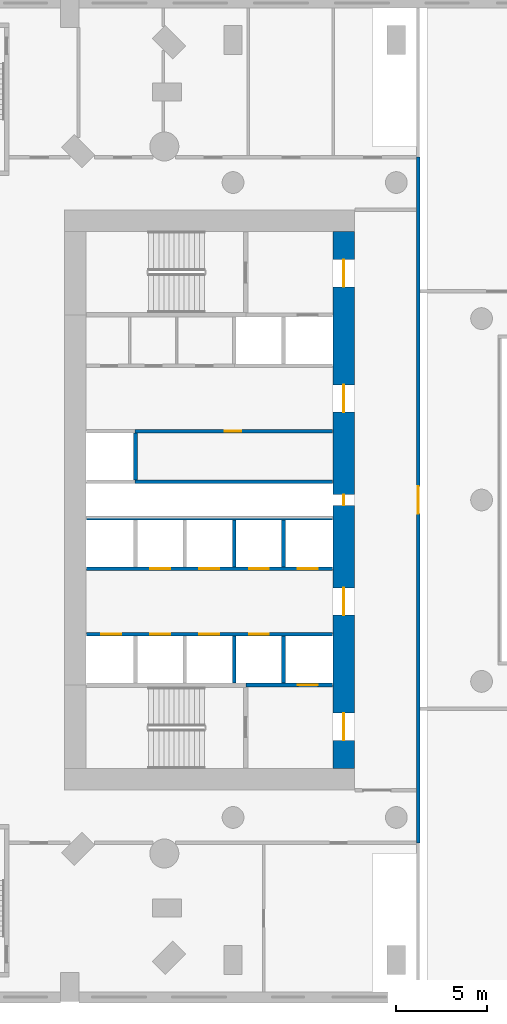
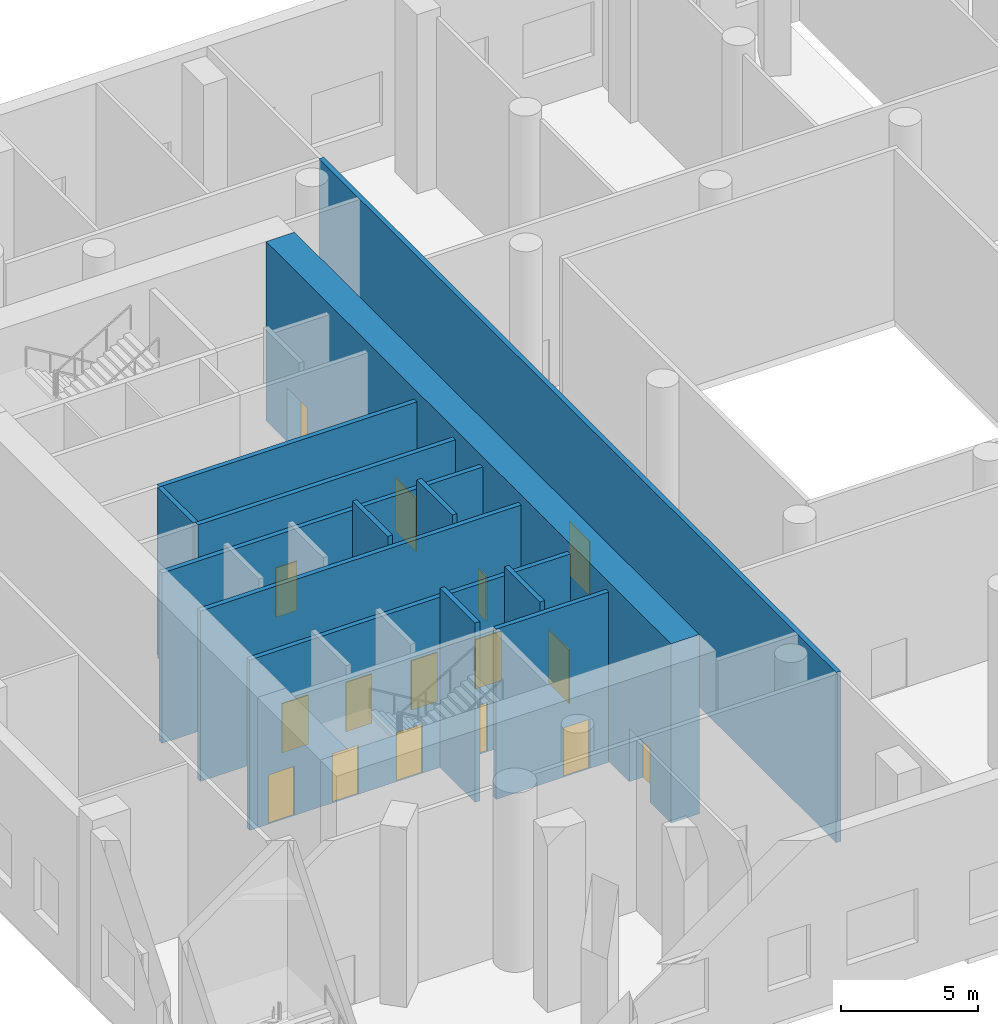
# One storey, part 4 of 18: 16 doors, 13 walls, 16 openings.
"""IFC4 building model written with IfcOpenShell, lengths in metres."""

from ifc_helpers import new_model, si_unit, direction, frame, frame_2d, origin, place, context, subcontext, project, spatial, rectangle, extrude, material, layer, layer_set, type_object, element, fill, save


model = new_model("IFC4")

# Units and contexts
model_context = context("Model", 3, precision=1e-05, world=origin(), true_north=direction((0.0, 1.0)))
body_context = subcontext(model_context, "Body", "Model", "MODEL_VIEW")
ifc_project = project(units=[si_unit("LENGTHUNIT", "METRE"), si_unit("AREAUNIT", "SQUARE_METRE"), si_unit("VOLUMEUNIT", "CUBIC_METRE"), si_unit("PLANEANGLEUNIT", "RADIAN"), si_unit("MASSUNIT", "GRAM", prefix="KILO")], contexts=[model_context])

# Site, building, storey
site_placement = place(None, origin())
site = spatial("IfcSite", under=ifc_project, at=site_placement, CompositionType="ELEMENT")
building_placement = place(site_placement, origin())
building = spatial("IfcBuilding", under=site, at=building_placement, Name="Cypress Arch Tower", CompositionType="ELEMENT")
storey_placement = place(building_placement, frame((0.0, 0.0, 36.0)))
storey = spatial("IfcBuildingStorey", under=building, at=storey_placement, Name="L04", CompositionType="ELEMENT", Elevation=36.0)

# Wall, openings, doors
ifc_material_1 = material(Name="Concrete C80/95", Category="concrete")
ifc_layer_1 = layer(ifc_material_1, 1.199951171875)
ifc_layer_set_1 = layer_set([ifc_layer_1], Name="Core wall CW1200 C80/95")
wall_type_1 = type_object("IfcWallType", Name="Core wall CW1200 C80/95", PredefinedType="SHEAR", material=ifc_layer_set_1)
wall_1_placement = place(storey_placement, frame((-14.60009765625, -14.800048828125, 0.0), z_axis=(0.0, 0.0, 1.0), x_axis=(0.0, 1.0, 0.0)))
wall_1 = element("IfcWall", 1, at=wall_1_placement, inside=storey, type_object=wall_type_1, Name="Core wall", PredefinedType="SHEAR", context=body_context, shape_type="SweptSolid", body=[
    extrude(rectangle(XDim=29.60009765625, YDim=1.199951171875, at=frame_2d((14.800048828125, 0.0))), origin(), (0.0, 0.0, 1.0), 8.0),
])
opening_1_placement = place(wall_1_placement, frame((1.550048828125, 0.0, 0.0)))
opening_1 = element("IfcOpeningElement", 2, at=opening_1_placement, cuts=wall_1, Name="Opening D07", PredefinedType="OPENING", context=body_context, shape_type="SweptSolid", body=[
    extrude(rectangle(XDim=1.5, YDim=2.39990234375, at=frame_2d((0.75, 1.199951171875))), frame((0.0, 0.60986328125, 0.0), z_axis=(0.0, -1.0, 0.0), x_axis=(1.0, 0.0, 0.0)), (0.0, 0.0, 1.0), 1.219970703125),
])
opening_2_placement = place(wall_1_placement, frame((26.550048828125, 0.0, 0.0)))
opening_2 = element("IfcOpeningElement", 3, at=opening_2_placement, cuts=wall_1, Name="Opening D07", PredefinedType="OPENING", context=body_context, shape_type="SweptSolid", body=[
    extrude(rectangle(XDim=1.5, YDim=2.39990234375, at=frame_2d((0.75, 1.199951171875))), frame((0.0, 0.60986328125, 0.0), z_axis=(0.0, -1.0, 0.0), x_axis=(1.0, 0.0, 0.0)), (0.0, 0.0, 1.0), 1.219970703125),
])
opening_3_placement = place(wall_1_placement, frame((8.449951171875, 0.0, 0.0)))
opening_3 = element("IfcOpeningElement", 4, at=opening_3_placement, cuts=wall_1, Name="Opening D07", PredefinedType="OPENING", context=body_context, shape_type="SweptSolid", body=[
    extrude(rectangle(XDim=1.5, YDim=2.39990234375, at=frame_2d((0.75, 1.199951171875))), frame((0.0, 0.60986328125, 0.0), z_axis=(0.0, -1.0, 0.0), x_axis=(1.0, 0.0, 0.0)), (0.0, 0.0, 1.0), 1.219970703125),
])
opening_4_placement = place(wall_1_placement, frame((19.64990234375, 0.0, 0.0)))
opening_4 = element("IfcOpeningElement", 5, at=opening_4_placement, cuts=wall_1, Name="Opening D07", PredefinedType="OPENING", context=body_context, shape_type="SweptSolid", body=[
    extrude(rectangle(XDim=1.5, YDim=2.39990234375, at=frame_2d((0.75, 1.199951171875))), frame((0.0, 0.60986328125, 0.0), z_axis=(0.0, -1.0, 0.0), x_axis=(1.0, 0.0, 0.0)), (0.0, 0.0, 1.0), 1.219970703125),
])
opening_5_placement = place(wall_1_placement, frame((14.5, 0.0, 0.0)))
opening_5 = element("IfcOpeningElement", 6, at=opening_5_placement, cuts=wall_1, Name="Opening D08", PredefinedType="OPENING", context=body_context, shape_type="SweptSolid", body=[
    extrude(rectangle(XDim=0.60009765625, YDim=2.0, at=frame_2d((0.300048828125, 1.0))), frame((0.0, 0.60986328125, 0.0), z_axis=(0.0, -1.0, 0.0), x_axis=(1.0, 0.0, 0.0)), (0.0, 0.0, 1.0), 1.219970703125),
])
ifc_material_2 = material(Name="Steel framed glazed door, fire resisting", Category="steel")
door_type_1 = type_object("IfcDoorType", Name="Lobby door D07 1500x2400", OperationType="DOUBLE_DOOR_SINGLE_SWING", PredefinedType="DOOR", material=ifc_material_2)
door_1_placement = place(opening_1_placement, origin())
door_1 = element("IfcDoor", 7, at=door_1_placement, inside=storey, type_object=door_type_1, Name="Lobby door", OperationType="DOUBLE_DOOR_SINGLE_SWING", OverallHeight=2.39990234375, OverallWidth=1.5, PredefinedType="DOOR", context=body_context, shape_type="SweptSolid", body=[
    extrude(rectangle(XDim=1.5, YDim=2.39990234375, at=frame_2d((0.75, 1.199951171875))), frame((0.0, 0.02490234375, 0.0), z_axis=(0.0, -1.0, 0.0), x_axis=(1.0, 0.0, 0.0)), (0.0, 0.0, 1.0), 0.050048828125),
])
fill(opening_1, door_1)
door_2_placement = place(opening_2_placement, origin())
door_2 = element("IfcDoor", 8, at=door_2_placement, inside=storey, type_object=door_type_1, Name="Lobby door", OperationType="DOUBLE_DOOR_SINGLE_SWING", OverallHeight=2.39990234375, OverallWidth=1.5, PredefinedType="DOOR", context=body_context, shape_type="SweptSolid", body=[
    extrude(rectangle(XDim=1.5, YDim=2.39990234375, at=frame_2d((0.75, 1.199951171875))), frame((0.0, 0.02490234375, 0.0), z_axis=(0.0, -1.0, 0.0), x_axis=(1.0, 0.0, 0.0)), (0.0, 0.0, 1.0), 0.050048828125),
])
fill(opening_2, door_2)
door_3_placement = place(opening_3_placement, origin())
door_3 = element("IfcDoor", 9, at=door_3_placement, inside=storey, type_object=door_type_1, Name="Lobby door", OperationType="DOUBLE_DOOR_SINGLE_SWING", OverallHeight=2.39990234375, OverallWidth=1.5, PredefinedType="DOOR", context=body_context, shape_type="SweptSolid", body=[
    extrude(rectangle(XDim=1.5, YDim=2.39990234375, at=frame_2d((0.75, 1.199951171875))), frame((0.0, 0.02490234375, 0.0), z_axis=(0.0, -1.0, 0.0), x_axis=(1.0, 0.0, 0.0)), (0.0, 0.0, 1.0), 0.050048828125),
])
fill(opening_3, door_3)
door_4_placement = place(opening_4_placement, origin())
door_4 = element("IfcDoor", 10, at=door_4_placement, inside=storey, type_object=door_type_1, Name="Lobby door", OperationType="DOUBLE_DOOR_SINGLE_SWING", OverallHeight=2.39990234375, OverallWidth=1.5, PredefinedType="DOOR", context=body_context, shape_type="SweptSolid", body=[
    extrude(rectangle(XDim=1.5, YDim=2.39990234375, at=frame_2d((0.75, 1.199951171875))), frame((0.0, 0.02490234375, 0.0), z_axis=(0.0, -1.0, 0.0), x_axis=(1.0, 0.0, 0.0)), (0.0, 0.0, 1.0), 0.050048828125),
])
fill(opening_4, door_4)
ifc_material_3 = material(Name="Steel access door, fire resisting", Category="steel")
door_type_2 = type_object("IfcDoorType", Name="Riser access door D08 600x2000", OperationType="SINGLE_SWING_LEFT", PredefinedType="DOOR", material=ifc_material_3)
door_5_placement = place(opening_5_placement, origin())
door_5 = element("IfcDoor", 11, at=door_5_placement, inside=storey, type_object=door_type_2, Name="Riser access door", OperationType="SINGLE_SWING_RIGHT", OverallHeight=2.0, OverallWidth=0.60009765625, PredefinedType="DOOR", context=body_context, shape_type="SweptSolid", body=[
    extrude(rectangle(XDim=0.60009765625, YDim=2.0, at=frame_2d((0.300048828125, 1.0))), frame((0.0, 0.02490234375, 0.0), z_axis=(0.0, -1.0, 0.0), x_axis=(1.0, 0.0, 0.0)), (0.0, 0.0, 1.0), 0.050048828125),
])
fill(opening_5, door_5)

# Wall, opening, door
ifc_material_4 = material(Name="Concrete blockwork, plastered, rated", Category="masonry")
ifc_layer_2 = layer(ifc_material_4, 0.199951171875)
ifc_layer_set_2 = layer_set([ifc_layer_2], Name="Corridor wall FW200")
wall_type_2 = type_object("IfcWallType", Name="Corridor wall FW200", PredefinedType="PARTITIONING", material=ifc_layer_set_2)
wall_2_placement = place(storey_placement, frame((-26.10009765625, 3.800048828125, 0.0), z_axis=(0.0, 0.0, 1.0), x_axis=(1.0, 0.0, 0.0)))
wall_2 = element("IfcWall", 12, at=wall_2_placement, inside=storey, type_object=wall_type_2, Name="Corridor wall", PredefinedType="PARTITIONING", context=body_context, shape_type="SweptSolid", body=[
    extrude(rectangle(XDim=10.8701171875, YDim=0.199951171875, at=frame_2d((5.43505859375, 0.0))), origin(), (0.0, 0.0, 1.0), 7.597900390625),
])
opening_6_placement = place(wall_2_placement, frame((4.949951171875, 0.0, 0.0)))
opening_6 = element("IfcOpeningElement", 13, at=opening_6_placement, cuts=wall_2, Name="Opening D05", PredefinedType="OPENING", context=body_context, shape_type="SweptSolid", body=[
    extrude(rectangle(XDim=0.89990234375, YDim=2.199951171875, at=frame_2d((0.449951171875, 1.10009765625))), frame((0.0, 0.10986328125, 0.0), z_axis=(0.0, -1.0, 0.0), x_axis=(1.0, 0.0, 0.0)), (0.0, 0.0, 1.0), 0.219970703125),
])
ifc_material_5 = material(Name="Timber flush door", Category="wood")
door_type_3 = type_object("IfcDoorType", Name="Service door D05 900x2200", OperationType="SINGLE_SWING_LEFT", PredefinedType="DOOR", material=ifc_material_5)
door_6_placement = place(opening_6_placement, origin())
door_6 = element("IfcDoor", 14, at=door_6_placement, inside=storey, type_object=door_type_3, Name="Service door", OperationType="SINGLE_SWING_RIGHT", OverallHeight=2.199951171875, OverallWidth=0.89990234375, PredefinedType="DOOR", context=body_context, shape_type="SweptSolid", body=[
    extrude(rectangle(XDim=0.89990234375, YDim=2.199951171875, at=frame_2d((0.449951171875, 1.10009765625))), frame((0.0, 0.02490234375, 0.0), z_axis=(0.0, -1.0, 0.0), x_axis=(1.0, 0.0, 0.0)), (0.0, 0.0, 1.0), 0.050048828125),
])
fill(opening_6, door_6)

wall_3_placement = place(storey_placement, frame((-10.5, -18.89990234375, 0.0), z_axis=(0.0, 0.0, 1.0), x_axis=(0.0, 1.0, 0.0)))
wall_3 = element("IfcWall", 15, at=wall_3_placement, inside=storey, type_object=wall_type_2, Name="Corridor wall", PredefinedType="PARTITIONING", context=body_context, shape_type="SweptSolid", body=[
    extrude(rectangle(XDim=37.7998046875, YDim=0.199951171875, at=frame_2d((18.89990234375, 0.0))), origin(), (0.0, 0.0, 1.0), 7.597900390625),
])
opening_7_placement = place(wall_3_placement, frame((18.14990234375, 0.0, 0.0)))
opening_7 = element("IfcOpeningElement", 16, at=opening_7_placement, cuts=wall_3, Name="Opening D07", PredefinedType="OPENING", context=body_context, shape_type="SweptSolid", body=[
    extrude(rectangle(XDim=1.5, YDim=2.39990234375, at=frame_2d((0.75, 1.199951171875))), frame((0.0, 0.10986328125, 0.0), z_axis=(0.0, -1.0, 0.0), x_axis=(1.0, 0.0, 0.0)), (0.0, 0.0, 1.0), 0.219970703125),
])
door_7_placement = place(opening_7_placement, origin())
door_7 = element("IfcDoor", 17, at=door_7_placement, inside=storey, type_object=door_type_1, Name="Lobby door", OperationType="DOUBLE_DOOR_SINGLE_SWING", OverallHeight=2.39990234375, OverallWidth=1.5, PredefinedType="DOOR", context=body_context, shape_type="SweptSolid", body=[
    extrude(rectangle(XDim=1.5, YDim=2.39990234375, at=frame_2d((0.75, 1.199951171875))), frame((0.0, 0.02490234375, 0.0), z_axis=(0.0, -1.0, 0.0), x_axis=(1.0, 0.0, 0.0)), (0.0, 0.0, 1.0), 0.050048828125),
])
fill(opening_7, door_7)

# Wall
ifc_material_6 = material(Name="Reinforced blockwork, plastered, rated", Category="masonry")
ifc_layer_3 = layer(ifc_material_6, 0.199951171875)
ifc_layer_set_3 = layer_set([ifc_layer_3], Name="Plant and riser wall PL200")
wall_type_3 = type_object("IfcWallType", Name="Plant and riser wall PL200", PredefinedType="PARTITIONING", material=ifc_layer_set_3)
wall_4_placement = place(storey_placement, frame((-26.10009765625, 1.0, 0.0), z_axis=(0.0, 0.0, 1.0), x_axis=(1.0, 0.0, 0.0)))
element("IfcWall", 18, at=wall_4_placement, inside=storey, type_object=wall_type_3, Name="Plant and riser wall", PredefinedType="PARTITIONING", context=body_context, shape_type="SweptSolid", body=[
    extrude(rectangle(XDim=10.8701171875, YDim=0.199951171875, at=frame_2d((5.43505859375, 0.0))), origin(), (0.0, 0.0, 1.0), 7.597900390625),
])

# Wall, openings, doors
ifc_material_7 = material(Name="Concrete C50/60", Category="concrete")
ifc_layer_4 = layer(ifc_material_7, 0.199951171875)
ifc_layer_set_4 = layer_set([ifc_layer_4], Name="Shaft wall SH200")
wall_type_4 = type_object("IfcWallType", Name="Shaft wall SH200", PredefinedType="SHEAR", material=ifc_layer_set_4)
wall_5_placement = place(storey_placement, frame((-28.77001953125, -7.39990234375, 0.0), z_axis=(0.0, 0.0, 1.0), x_axis=(1.0, 0.0, 0.0)))
wall_5 = element("IfcWall", 19, at=wall_5_placement, inside=storey, type_object=wall_type_4, Name="Shaft wall", PredefinedType="SHEAR", context=body_context, shape_type="SweptSolid", body=[
    extrude(rectangle(XDim=13.5400390625, YDim=0.199951171875, at=frame_2d((6.77001953125, 0.0))), origin(), (0.0, 0.0, 1.0), 7.597900390625),
])
opening_8_placement = place(wall_5_placement, frame((0.800048828125, 0.0, 0.0)))
opening_8 = element("IfcOpeningElement", 20, at=opening_8_placement, cuts=wall_5, Name="Opening LD-LR1", PredefinedType="OPENING", context=body_context, shape_type="SweptSolid", body=[
    extrude(rectangle(XDim=1.10009765625, YDim=2.199951171875, at=frame_2d((0.550048828125, 1.10009765625))), frame((0.0, 0.10986328125, 0.0), z_axis=(0.0, -1.0, 0.0), x_axis=(1.0, 0.0, 0.0)), (0.0, 0.0, 1.0), 0.219970703125),
])
opening_9_placement = place(wall_5_placement, frame((3.5, 0.0, 0.0)))
opening_9 = element("IfcOpeningElement", 21, at=opening_9_placement, cuts=wall_5, Name="Opening LD-LR2", PredefinedType="OPENING", context=body_context, shape_type="SweptSolid", body=[
    extrude(rectangle(XDim=1.10009765625, YDim=2.199951171875, at=frame_2d((0.550048828125, 1.10009765625))), frame((0.0, 0.10986328125, 0.0), z_axis=(0.0, -1.0, 0.0), x_axis=(1.0, 0.0, 0.0)), (0.0, 0.0, 1.0), 0.219970703125),
])
opening_10_placement = place(wall_5_placement, frame((6.199951171875, 0.0, 0.0)))
opening_10 = element("IfcOpeningElement", 22, at=opening_10_placement, cuts=wall_5, Name="Opening LD-LR3", PredefinedType="OPENING", context=body_context, shape_type="SweptSolid", body=[
    extrude(rectangle(XDim=1.10009765625, YDim=2.199951171875, at=frame_2d((0.550048828125, 1.10009765625))), frame((0.0, 0.10986328125, 0.0), z_axis=(0.0, -1.0, 0.0), x_axis=(1.0, 0.0, 0.0)), (0.0, 0.0, 1.0), 0.219970703125),
])
opening_11_placement = place(wall_5_placement, frame((8.949951171875, 0.0, 0.0)))
opening_11 = element("IfcOpeningElement", 23, at=opening_11_placement, cuts=wall_5, Name="Opening LD-LR4", PredefinedType="OPENING", context=body_context, shape_type="SweptSolid", body=[
    extrude(rectangle(XDim=1.10009765625, YDim=2.199951171875, at=frame_2d((0.550048828125, 1.10009765625))), frame((0.0, 0.10986328125, 0.0), z_axis=(0.0, -1.0, 0.0), x_axis=(1.0, 0.0, 0.0)), (0.0, 0.0, 1.0), 0.219970703125),
])
ifc_material_8 = material(Name="Stainless steel centre-opening landing door, rated", Category="steel")
door_type_4 = type_object("IfcDoorType", Name="Lift landing door LD 1100x2200", OperationType="DOUBLE_DOOR_SLIDING", PredefinedType="DOOR", material=ifc_material_8)
door_8_placement = place(opening_8_placement, origin())
door_8 = element("IfcDoor", 24, at=door_8_placement, inside=storey, type_object=door_type_4, Name="Lift landing doors LR1", OperationType="DOUBLE_DOOR_SLIDING", OverallHeight=2.199951171875, OverallWidth=1.10009765625, PredefinedType="DOOR", context=body_context, shape_type="SweptSolid", body=[
    extrude(rectangle(XDim=1.10009765625, YDim=2.199951171875, at=frame_2d((0.550048828125, 1.10009765625))), frame((0.0, 0.02490234375, 0.0), z_axis=(0.0, -1.0, 0.0), x_axis=(1.0, 0.0, 0.0)), (0.0, 0.0, 1.0), 0.050048828125),
])
fill(opening_8, door_8)
door_9_placement = place(opening_9_placement, origin())
door_9 = element("IfcDoor", 25, at=door_9_placement, inside=storey, type_object=door_type_4, Name="Lift landing doors LR2", OperationType="DOUBLE_DOOR_SLIDING", OverallHeight=2.199951171875, OverallWidth=1.10009765625, PredefinedType="DOOR", context=body_context, shape_type="SweptSolid", body=[
    extrude(rectangle(XDim=1.10009765625, YDim=2.199951171875, at=frame_2d((0.550048828125, 1.10009765625))), frame((0.0, 0.02490234375, 0.0), z_axis=(0.0, -1.0, 0.0), x_axis=(1.0, 0.0, 0.0)), (0.0, 0.0, 1.0), 0.050048828125),
])
fill(opening_9, door_9)
door_10_placement = place(opening_10_placement, origin())
door_10 = element("IfcDoor", 26, at=door_10_placement, inside=storey, type_object=door_type_4, Name="Lift landing doors LR3", OperationType="DOUBLE_DOOR_SLIDING", OverallHeight=2.199951171875, OverallWidth=1.10009765625, PredefinedType="DOOR", context=body_context, shape_type="SweptSolid", body=[
    extrude(rectangle(XDim=1.10009765625, YDim=2.199951171875, at=frame_2d((0.550048828125, 1.10009765625))), frame((0.0, 0.02490234375, 0.0), z_axis=(0.0, -1.0, 0.0), x_axis=(1.0, 0.0, 0.0)), (0.0, 0.0, 1.0), 0.050048828125),
])
fill(opening_10, door_10)
door_11_placement = place(opening_11_placement, origin())
door_11 = element("IfcDoor", 27, at=door_11_placement, inside=storey, type_object=door_type_4, Name="Lift landing doors LR4", OperationType="DOUBLE_DOOR_SLIDING", OverallHeight=2.199951171875, OverallWidth=1.10009765625, PredefinedType="DOOR", context=body_context, shape_type="SweptSolid", body=[
    extrude(rectangle(XDim=1.10009765625, YDim=2.199951171875, at=frame_2d((0.550048828125, 1.10009765625))), frame((0.0, 0.02490234375, 0.0), z_axis=(0.0, -1.0, 0.0), x_axis=(1.0, 0.0, 0.0)), (0.0, 0.0, 1.0), 0.050048828125),
])
fill(opening_11, door_11)

wall_6_placement = place(storey_placement, frame((-28.77001953125, -3.800048828125, 0.0), z_axis=(0.0, 0.0, 1.0), x_axis=(1.0, 0.0, 0.0)))
wall_6 = element("IfcWall", 28, at=wall_6_placement, inside=storey, type_object=wall_type_4, Name="Shaft wall", PredefinedType="SHEAR", context=body_context, shape_type="SweptSolid", body=[
    extrude(rectangle(XDim=13.5400390625, YDim=0.199951171875, at=frame_2d((6.77001953125, 0.0))), origin(), (0.0, 0.0, 1.0), 7.597900390625),
])
opening_12_placement = place(wall_6_placement, frame((3.5, 0.0, 0.0)))
opening_12 = element("IfcOpeningElement", 29, at=opening_12_placement, cuts=wall_6, Name="Opening LD-LR5", PredefinedType="OPENING", context=body_context, shape_type="SweptSolid", body=[
    extrude(rectangle(XDim=1.10009765625, YDim=2.199951171875, at=frame_2d((0.550048828125, 1.10009765625))), frame((0.0, 0.10986328125, 0.0), z_axis=(0.0, -1.0, 0.0), x_axis=(1.0, 0.0, 0.0)), (0.0, 0.0, 1.0), 0.219970703125),
])
opening_13_placement = place(wall_6_placement, frame((6.199951171875, 0.0, 0.0)))
opening_13 = element("IfcOpeningElement", 30, at=opening_13_placement, cuts=wall_6, Name="Opening LD-LR6", PredefinedType="OPENING", context=body_context, shape_type="SweptSolid", body=[
    extrude(rectangle(XDim=1.10009765625, YDim=2.199951171875, at=frame_2d((0.550048828125, 1.10009765625))), frame((0.0, 0.10986328125, 0.0), z_axis=(0.0, -1.0, 0.0), x_axis=(1.0, 0.0, 0.0)), (0.0, 0.0, 1.0), 0.219970703125),
])
opening_14_placement = place(wall_6_placement, frame((8.949951171875, 0.0, 0.0)))
opening_14 = element("IfcOpeningElement", 31, at=opening_14_placement, cuts=wall_6, Name="Opening LD-LR7", PredefinedType="OPENING", context=body_context, shape_type="SweptSolid", body=[
    extrude(rectangle(XDim=1.10009765625, YDim=2.199951171875, at=frame_2d((0.550048828125, 1.10009765625))), frame((0.0, 0.10986328125, 0.0), z_axis=(0.0, -1.0, 0.0), x_axis=(1.0, 0.0, 0.0)), (0.0, 0.0, 1.0), 0.219970703125),
])
opening_15_placement = place(wall_6_placement, frame((11.64990234375, 0.0, 0.0)))
opening_15 = element("IfcOpeningElement", 32, at=opening_15_placement, cuts=wall_6, Name="Opening LD-LR8", PredefinedType="OPENING", context=body_context, shape_type="SweptSolid", body=[
    extrude(rectangle(XDim=1.10009765625, YDim=2.199951171875, at=frame_2d((0.550048828125, 1.10009765625))), frame((0.0, 0.10986328125, 0.0), z_axis=(0.0, -1.0, 0.0), x_axis=(1.0, 0.0, 0.0)), (0.0, 0.0, 1.0), 0.219970703125),
])
door_12_placement = place(opening_12_placement, origin())
door_12 = element("IfcDoor", 33, at=door_12_placement, inside=storey, type_object=door_type_4, Name="Lift landing doors LR5", OperationType="DOUBLE_DOOR_SLIDING", OverallHeight=2.199951171875, OverallWidth=1.10009765625, PredefinedType="DOOR", context=body_context, shape_type="SweptSolid", body=[
    extrude(rectangle(XDim=1.10009765625, YDim=2.199951171875, at=frame_2d((0.550048828125, 1.10009765625))), frame((0.0, 0.02490234375, 0.0), z_axis=(0.0, -1.0, 0.0), x_axis=(1.0, 0.0, 0.0)), (0.0, 0.0, 1.0), 0.050048828125),
])
fill(opening_12, door_12)
door_13_placement = place(opening_13_placement, origin())
door_13 = element("IfcDoor", 34, at=door_13_placement, inside=storey, type_object=door_type_4, Name="Lift landing doors LR6", OperationType="DOUBLE_DOOR_SLIDING", OverallHeight=2.199951171875, OverallWidth=1.10009765625, PredefinedType="DOOR", context=body_context, shape_type="SweptSolid", body=[
    extrude(rectangle(XDim=1.10009765625, YDim=2.199951171875, at=frame_2d((0.550048828125, 1.10009765625))), frame((0.0, 0.02490234375, 0.0), z_axis=(0.0, -1.0, 0.0), x_axis=(1.0, 0.0, 0.0)), (0.0, 0.0, 1.0), 0.050048828125),
])
fill(opening_13, door_13)
door_14_placement = place(opening_14_placement, origin())
door_14 = element("IfcDoor", 35, at=door_14_placement, inside=storey, type_object=door_type_4, Name="Lift landing doors LR7", OperationType="DOUBLE_DOOR_SLIDING", OverallHeight=2.199951171875, OverallWidth=1.10009765625, PredefinedType="DOOR", context=body_context, shape_type="SweptSolid", body=[
    extrude(rectangle(XDim=1.10009765625, YDim=2.199951171875, at=frame_2d((0.550048828125, 1.10009765625))), frame((0.0, 0.02490234375, 0.0), z_axis=(0.0, -1.0, 0.0), x_axis=(1.0, 0.0, 0.0)), (0.0, 0.0, 1.0), 0.050048828125),
])
fill(opening_14, door_14)
door_15_placement = place(opening_15_placement, origin())
door_15 = element("IfcDoor", 36, at=door_15_placement, inside=storey, type_object=door_type_4, Name="Lift landing doors LR8", OperationType="DOUBLE_DOOR_SLIDING", OverallHeight=2.199951171875, OverallWidth=1.10009765625, PredefinedType="DOOR", context=body_context, shape_type="SweptSolid", body=[
    extrude(rectangle(XDim=1.10009765625, YDim=2.199951171875, at=frame_2d((0.550048828125, 1.10009765625))), frame((0.0, 0.02490234375, 0.0), z_axis=(0.0, -1.0, 0.0), x_axis=(1.0, 0.0, 0.0)), (0.0, 0.0, 1.0), 0.050048828125),
])
fill(opening_15, door_15)

# Walls
wall_7_placement = place(storey_placement, frame((-28.77001953125, -1.0, 0.0), z_axis=(0.0, 0.0, 1.0), x_axis=(1.0, 0.0, 0.0)))
element("IfcWall", 37, at=wall_7_placement, inside=storey, type_object=wall_type_4, Name="Shaft wall", PredefinedType="SHEAR", context=body_context, shape_type="SweptSolid", body=[
    extrude(rectangle(XDim=13.5400390625, YDim=0.199951171875, at=frame_2d((6.77001953125, 0.0))), origin(), (0.0, 0.0, 1.0), 7.597900390625),
])
wall_8_placement = place(storey_placement, frame((-26.080078125, 1.10009765625, 0.0), z_axis=(0.0, 0.0, 1.0), x_axis=(0.0, 1.0, 0.0)))
element("IfcWall", 38, at=wall_8_placement, inside=storey, type_object=wall_type_4, Name="Shaft wall", PredefinedType="SHEAR", context=body_context, shape_type="SweptSolid", body=[
    extrude(rectangle(XDim=2.599853515625, YDim=0.199951171875, at=frame_2d((1.2998046875, 0.0))), origin(), (0.0, 0.0, 1.0), 7.597900390625),
])
wall_9_placement = place(storey_placement, frame((-20.639892578125, -10.074951171875, 0.0), z_axis=(0.0, 0.0, 1.0), x_axis=(0.0, 1.0, 0.0)))
element("IfcWall", 39, at=wall_9_placement, inside=storey, type_object=wall_type_4, Name="Shaft wall", PredefinedType="SHEAR", context=body_context, shape_type="SweptSolid", body=[
    extrude(rectangle(XDim=2.574951171875, YDim=0.199951171875, at=frame_2d((1.28759765625, 0.0))), origin(), (0.0, 0.0, 1.0), 8.0),
])
wall_10_placement = place(storey_placement, frame((-20.639892578125, -3.699951171875, 0.0), z_axis=(0.0, 0.0, 1.0), x_axis=(0.0, 1.0, 0.0)))
element("IfcWall", 40, at=wall_10_placement, inside=storey, type_object=wall_type_4, Name="Shaft wall", PredefinedType="SHEAR", context=body_context, shape_type="SweptSolid", body=[
    extrude(rectangle(XDim=2.599853515625, YDim=0.199951171875, at=frame_2d((1.2998046875, 0.0))), origin(), (0.0, 0.0, 1.0), 8.0),
])

# Wall, opening, door
wall_11_placement = place(storey_placement, frame((-19.97998046875, -10.199951171875, 0.0), z_axis=(0.0, 0.0, 1.0), x_axis=(1.0, 0.0, 0.0)))
wall_11 = element("IfcWall", 41, at=wall_11_placement, inside=storey, type_object=wall_type_4, Name="Shaft wall", PredefinedType="SHEAR", context=body_context, shape_type="SweptSolid", body=[
    extrude(rectangle(XDim=4.75, YDim=0.199951171875, at=frame_2d((2.375, 0.0))), origin(), (0.0, 0.0, 1.0), 7.597900390625),
])
opening_16_placement = place(wall_11_placement, frame((2.85009765625, 0.0, 0.0)))
opening_16 = element("IfcOpeningElement", 42, at=opening_16_placement, cuts=wall_11, Name="Opening LD-FL1", PredefinedType="OPENING", context=body_context, shape_type="SweptSolid", body=[
    extrude(rectangle(XDim=1.10009765625, YDim=2.199951171875, at=frame_2d((0.550048828125, 1.10009765625))), frame((0.0, 0.10986328125, 0.0), z_axis=(0.0, -1.0, 0.0), x_axis=(1.0, 0.0, 0.0)), (0.0, 0.0, 1.0), 0.219970703125),
])
door_16_placement = place(opening_16_placement, origin())
door_16 = element("IfcDoor", 43, at=door_16_placement, inside=storey, type_object=door_type_4, Name="Lift landing doors FL1", OperationType="DOUBLE_DOOR_SLIDING", OverallHeight=2.199951171875, OverallWidth=1.10009765625, PredefinedType="DOOR", context=body_context, shape_type="SweptSolid", body=[
    extrude(rectangle(XDim=1.10009765625, YDim=2.199951171875, at=frame_2d((0.550048828125, 1.10009765625))), frame((0.0, 0.02490234375, 0.0), z_axis=(0.0, -1.0, 0.0), x_axis=(1.0, 0.0, 0.0)), (0.0, 0.0, 1.0), 0.050048828125),
])
fill(opening_16, door_16)

# Walls
wall_12_placement = place(storey_placement, frame((-17.919921875, -10.10009765625, 0.0), z_axis=(0.0, 0.0, 1.0), x_axis=(0.0, 1.0, 0.0)))
element("IfcWall", 44, at=wall_12_placement, inside=storey, type_object=wall_type_4, Name="Shaft wall", PredefinedType="SHEAR", context=body_context, shape_type="SweptSolid", body=[
    extrude(rectangle(XDim=2.60009765625, YDim=0.199951171875, at=frame_2d((1.300048828125, 0.0))), origin(), (0.0, 0.0, 1.0), 8.0),
])
wall_13_placement = place(storey_placement, frame((-17.919921875, -3.699951171875, 0.0), z_axis=(0.0, 0.0, 1.0), x_axis=(0.0, 1.0, 0.0)))
element("IfcWall", 45, at=wall_13_placement, inside=storey, type_object=wall_type_4, Name="Shaft wall", PredefinedType="SHEAR", context=body_context, shape_type="SweptSolid", body=[
    extrude(rectangle(XDim=2.599853515625, YDim=0.199951171875, at=frame_2d((1.2998046875, 0.0))), origin(), (0.0, 0.0, 1.0), 8.0),
])

save(model, "model.ifc")
